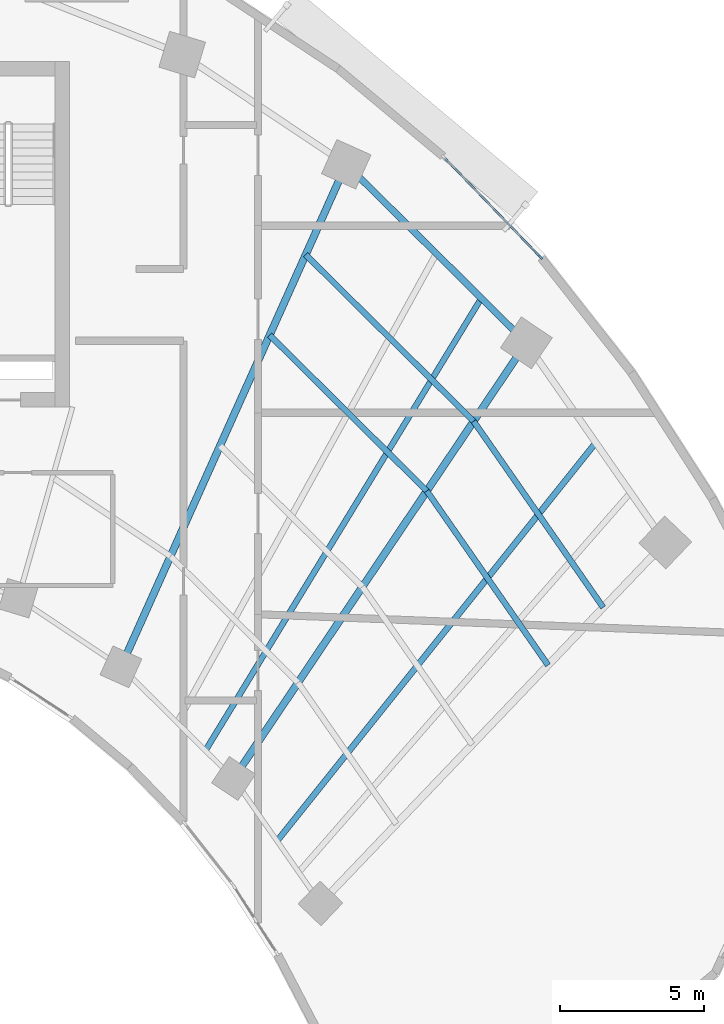
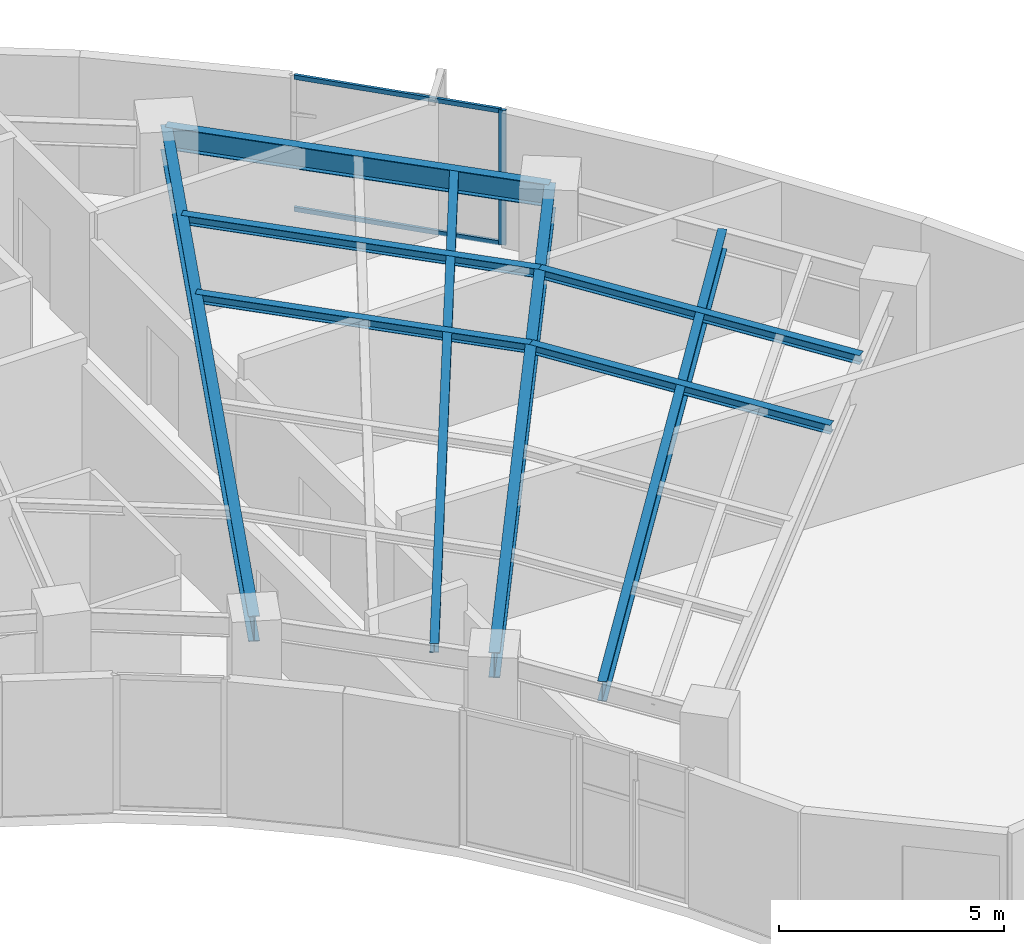
# One storey, part 4 of 14: 9 beams, 3 members, 1 element without a shape of its own.
"""IFC4 building model written with IfcOpenShell, lengths in metres."""

from ifc_helpers import new_model, si_unit, direction, frame, origin, origin_2d, place, context, subcontext, project, spatial, rectangle, i_section, extrude, source, transform, mapped, material, layer, layer_set, material_profile, profile_set, type_object, element, aggregate, save


model = new_model("IFC4")

# Units and contexts
model_context = context("Model", 3, precision=1e-05, world=origin(), true_north=direction((0.0, 1.0)))
body_context = subcontext(model_context, "Body", "Model", "MODEL_VIEW")
ifc_project = project(units=[si_unit("LENGTHUNIT", "METRE"), si_unit("AREAUNIT", "SQUARE_METRE"), si_unit("VOLUMEUNIT", "CUBIC_METRE"), si_unit("PLANEANGLEUNIT", "RADIAN"), si_unit("MASSUNIT", "GRAM", prefix="KILO")], contexts=[model_context])

# Site, building, storey
site_placement = place(None, origin())
site = spatial("IfcSite", under=ifc_project, at=site_placement, CompositionType="ELEMENT")
building_placement = place(site_placement, origin())
building = spatial("IfcBuilding", under=site, at=building_placement, Name="Breltana Convention Tower", CompositionType="ELEMENT")
storey_placement = place(building_placement, frame((0.0, 0.0, 119.39990234375)))
storey = spatial("IfcBuildingStorey", under=building, at=storey_placement, Name="L28", CompositionType="ELEMENT", Elevation=119.39990234375)

# Beams
ifc_material_1 = material(Name="Steel ASTM A992 Grade 50", Category="steel")
ifc_material_profile_1 = material_profile(ifc_material_1, i_section(OverallWidth=0.25390625, OverallDepth=0.68798828125, WebThickness=0.01318359375, FlangeThickness=0.02099609375, at=origin_2d()), Name="W27X102")
ifc_profile_set_1 = profile_set([ifc_material_profile_1], Name="Steel ASTM A992 Grade 50")
beam_type_1 = type_object("IfcBeamType", Name="BM-RG-W27X102", PredefinedType="USERDEFINED", material=ifc_profile_set_1)
shared_shape_1 = source(origin(), body_context, "Body", "SweptSolid", [
    extrude(i_section(OverallWidth=0.25390625, OverallDepth=0.68798828125, WebThickness=0.01318359375, FlangeThickness=0.02099609375, at=origin_2d()), origin(), (0.0, 0.0, 1.0), 19.133544921875),
])
beam_1_placement = place(storey_placement, frame((61.08203125, 51.174560546875, 3.30615234375), z_axis=(0.409144564164, 0.912469575172, 0.0), x_axis=(-0.912469575172, 0.409144564164, 0.0)))
element("IfcBeam", 1, at=beam_1_placement, inside=storey, type_object=beam_type_1, Name="L28 Radial Floor Girder R09", ObjectType="GIRDER", PredefinedType="USERDEFINED", context=body_context, shape_type="MappedRepresentation", body=[
    mapped(shared_shape_1, transform((0.0, 0.0, 0.0), scale=1.0)),
])
shared_shape_2 = source(origin(), body_context, "Body", "SweptSolid", [
    extrude(i_section(OverallWidth=0.25390625, OverallDepth=0.68798828125, WebThickness=0.01318359375, FlangeThickness=0.02099609375, at=origin_2d()), origin(), (0.0, 0.0, 1.0), 18.236328125),
])
beam_2_placement = place(storey_placement, frame((64.995849609375, 47.293701171875, 3.30615234375), z_axis=(0.557730360975, 0.830022195153, 0.0), x_axis=(-0.830022195153, 0.557730360975, 0.0)))
element("IfcBeam", 2, at=beam_2_placement, inside=storey, type_object=beam_type_1, Name="L28 Radial Floor Girder R10", ObjectType="GIRDER", PredefinedType="USERDEFINED", context=body_context, shape_type="MappedRepresentation", body=[
    mapped(shared_shape_2, transform((0.0, 0.0, 0.0), scale=1.0)),
])
ifc_material_profile_2 = material_profile(ifc_material_1, i_section(OverallWidth=0.22802734375, OverallDepth=0.60791015625, WebThickness=0.01123046875, FlangeThickness=0.017333984375, at=origin_2d()), Name="W24X76")
ifc_profile_set_2 = profile_set([ifc_material_profile_2], Name="Steel ASTM A992 Grade 50")
beam_type_2 = type_object("IfcBeamType", Name="BM-SP-W24X76", PredefinedType="SPANDREL", material=ifc_profile_set_2)
shared_shape_3 = source(origin(), body_context, "Body", "SweptSolid", [
    extrude(i_section(OverallWidth=0.22802734375, OverallDepth=0.60791015625, WebThickness=0.01123046875, FlangeThickness=0.017333984375, at=origin_2d()), origin(), (0.0, 0.0, 1.0), 8.810302734375),
])
beam_3_placement = place(storey_placement, frame((68.910400390625, 68.63330078125, 3.34619140625), z_axis=(0.710120823582, -0.704079836322, 0.0), x_axis=(0.704079836322, 0.710120823582, 0.0)))
element("IfcBeam", 3, at=beam_3_placement, inside=storey, type_object=beam_type_2, Name="L28 Outer Spandrel Beam 09", PredefinedType="SPANDREL", context=body_context, shape_type="MappedRepresentation", body=[
    mapped(shared_shape_3, transform((0.0, 0.0, 0.0), scale=1.0)),
])
ifc_material_profile_3 = material_profile(ifc_material_1, i_section(OverallWidth=0.201904296875, OverallDepth=0.2470703125, WebThickness=0.00732421875, FlangeThickness=0.010986328125, at=origin_2d()), Name="W10X33")
ifc_profile_set_3 = profile_set([ifc_material_profile_3], Name="Steel ASTM A992 Grade 50")
beam_type_3 = type_object("IfcBeamType", Name="BM-JSG-11", PredefinedType="JOIST", material=ifc_profile_set_3)
shared_shape_4 = source(origin(), body_context, "Body", "SweptSolid", [
    extrude(i_section(OverallWidth=0.201904296875, OverallDepth=0.2470703125, WebThickness=0.00732421875, FlangeThickness=0.010986328125, at=origin_2d()), origin(), (0.0, 0.0, 1.0), 7.688720703125),
])
beam_4_placement = place(storey_placement, frame((66.248779296875, 62.697265625, 3.526611328125), z_axis=(0.710101109809, -0.704099718682, 0.0), x_axis=(0.704099718682, 0.710101109809, 0.0)))
element("IfcBeam", 4, at=beam_4_placement, inside=storey, type_object=beam_type_3, Name="L28 Composite Floor Joist 09.3", PredefinedType="JOIST", context=body_context, shape_type="MappedRepresentation", body=[
    mapped(shared_shape_4, transform((0.0, 0.0, 0.0), scale=1.0)),
])
shared_shape_5 = source(origin(), body_context, "Body", "SweptSolid", [
    extrude(i_section(OverallWidth=0.201904296875, OverallDepth=0.2470703125, WebThickness=0.00732421875, FlangeThickness=0.010986328125, at=origin_2d()), origin(), (0.0, 0.0, 1.0), 8.21630859375),
])
beam_5_placement = place(storey_placement, frame((67.50146484375, 65.49072265625, 3.526611328125), z_axis=(0.710101511063, -0.704099314008, 0.0), x_axis=(0.704099314008, 0.710101511063, 0.0)))
element("IfcBeam", 5, at=beam_5_placement, inside=storey, type_object=beam_type_3, Name="L28 Composite Floor Joist 09.4", PredefinedType="JOIST", context=body_context, shape_type="MappedRepresentation", body=[
    mapped(shared_shape_5, transform((0.0, 0.0, 0.0), scale=1.0)),
])
shared_shape_6 = source(origin(), body_context, "Body", "SweptSolid", [
    extrude(i_section(OverallWidth=0.201904296875, OverallDepth=0.2470703125, WebThickness=0.00732421875, FlangeThickness=0.010986328125, at=origin_2d()), origin(), (0.0, 0.0, 1.0), 18.409423828125),
])
beam_6_placement = place(storey_placement, frame((64.017333984375, 48.263916015625, 3.526611328125), z_axis=(0.520682167606, 0.853750596098, 0.0), x_axis=(-0.853750596098, 0.520682167606, 0.0)))
element("IfcBeam", 6, at=beam_6_placement, inside=storey, type_object=beam_type_3, Name="L28 Quarter-Bay Radial Trimmer 09", PredefinedType="JOIST", context=body_context, shape_type="MappedRepresentation", body=[
    mapped(shared_shape_6, transform((0.0, 0.0, 0.0), scale=1.0)),
])
shared_shape_7 = source(origin(), body_context, "Body", "SweptSolid", [
    extrude(i_section(OverallWidth=0.201904296875, OverallDepth=0.2470703125, WebThickness=0.00732421875, FlangeThickness=0.010986328125, at=origin_2d()), origin(), (0.0, 0.0, 1.0), 7.374267578125),
])
beam_7_placement = place(storey_placement, frame((71.70849609375, 57.28369140625, 3.526611328125), z_axis=(0.571229379406, -0.820790470281, 0.0), x_axis=(0.820790470281, 0.571229379406, 0.0)))
element("IfcBeam", 7, at=beam_7_placement, inside=storey, type_object=beam_type_3, Name="L28 Composite Floor Joist 10.3", PredefinedType="JOIST", context=body_context, shape_type="MappedRepresentation", body=[
    mapped(shared_shape_7, transform((0.0, 0.0, 0.0), scale=1.0)),
])
shared_shape_8 = source(origin(), body_context, "Body", "SweptSolid", [
    extrude(i_section(OverallWidth=0.201904296875, OverallDepth=0.2470703125, WebThickness=0.00732421875, FlangeThickness=0.010986328125, at=origin_2d()), origin(), (0.0, 0.0, 1.0), 7.88037109375),
])
beam_8_placement = place(storey_placement, frame((73.3359375, 59.70556640625, 3.526611328125), z_axis=(0.571197916304, -0.820812366141, 0.0), x_axis=(0.820812366141, 0.571197916304, 0.0)))
element("IfcBeam", 8, at=beam_8_placement, inside=storey, type_object=beam_type_3, Name="L28 Composite Floor Joist 10.4", PredefinedType="JOIST", context=body_context, shape_type="MappedRepresentation", body=[
    mapped(shared_shape_8, transform((0.0, 0.0, 0.0), scale=1.0)),
])
ifc_material_profile_4 = material_profile(ifc_material_1, i_section(OverallWidth=0.2099609375, OverallDepth=0.537109375, WebThickness=0.010986328125, FlangeThickness=0.017333984375, at=origin_2d()), Name="W21X68")
ifc_profile_set_4 = profile_set([ifc_material_profile_4], Name="Steel ASTM A992 Grade 50")
beam_type_4 = type_object("IfcBeamType", Name="BM-JSG-04", PredefinedType="JOIST", material=ifc_profile_set_4)
shared_shape_9 = source(origin(), body_context, "Body", "SweptSolid", [
    extrude(i_section(OverallWidth=0.2099609375, OverallDepth=0.537109375, WebThickness=0.010986328125, FlangeThickness=0.017333984375, at=origin_2d()), origin(), (0.0, 0.0, 1.0), 17.7236328125),
])
beam_9_placement = place(storey_placement, frame((66.505615234375, 45.124267578125, 3.381591796875), z_axis=(0.624829427563, 0.78076128647, 0.0), x_axis=(-0.78076128647, 0.624829427563, 0.0)))
element("IfcBeam", 9, at=beam_9_placement, inside=storey, type_object=beam_type_4, Name="L28 Mid-Bay Radial Trimmer 10", PredefinedType="JOIST", context=body_context, shape_type="MappedRepresentation", body=[
    mapped(shared_shape_9, transform((0.0, 0.0, 0.0), scale=1.0)),
])

# Curtain wall, members
ifc_material_2 = material(Name="Aluminium Anodised Bronze Frame", Category="aluminium")
ifc_layer = layer(ifc_material_2, 0.22998046875, Name="Aluminium Anodised Bronze Frame")
ifc_layer_set = layer_set([ifc_layer], Name="Aluminium Anodised Bronze Frame")
curtain_wall_type = type_object("IfcCurtainWallType", Name="CW-SYS-5", PredefinedType="NOTDEFINED", material=ifc_layer_set)
curtain_wall_placement = place(storey_placement, origin())
curtain_wall = element("IfcCurtainWall", 10, at=curtain_wall_placement, inside=storey, type_object=curtain_wall_type, Name="L28 outer double-skin inner glazing 4", PredefinedType="NOTDEFINED")
ifc_material_3 = material(Name="Aluminium Anodised Bronze", Category="aluminium")
ifc_material_profile_5 = material_profile(ifc_material_3, rectangle(XDim=0.070068359375, YDim=0.1201171875, at=origin_2d()), Name="CWT-70X120")
ifc_profile_set_5 = profile_set([ifc_material_profile_5], Name="Aluminium Anodised Bronze")
member_type_1 = type_object("IfcMemberType", Name="CWT-120", PredefinedType="USERDEFINED", material=ifc_profile_set_5)
shared_shape_10 = source(origin(), body_context, "Body", "SweptSolid", [
    extrude(rectangle(XDim=0.070068359375, YDim=0.1201171875, at=origin_2d()), origin(), (0.0, 0.0, 1.0), 4.7685546875),
])
member_1_placement = place(storey_placement, frame((72.323974609375, 68.857177734375, 0.03515625), z_axis=(0.694608218982, -0.719388227679, 0.0), x_axis=(0.719388227679, 0.694608218982, 0.0)))
member_1 = element("IfcMember", 11, at=member_1_placement, type_object=member_type_1, Name="CW-05 transom 1.1", ObjectType="TRANSOM", PredefinedType="USERDEFINED", context=body_context, shape_type="MappedRepresentation", body=[
    mapped(shared_shape_10, transform((0.0, 0.0, 0.0), scale=1.0)),
])
member_2_placement = place(storey_placement, frame((72.323974609375, 68.857177734375, 3.614990234375), z_axis=(0.694608218982, -0.719388227679, 0.0), x_axis=(0.719388227679, 0.694608218982, 0.0)))
member_2 = element("IfcMember", 12, at=member_2_placement, type_object=member_type_1, Name="CW-05 transom 1.2", ObjectType="TRANSOM", PredefinedType="USERDEFINED", context=body_context, shape_type="MappedRepresentation", body=[
    mapped(shared_shape_10, transform((0.0, 0.0, 0.0), scale=1.0)),
])
ifc_material_profile_6 = material_profile(ifc_material_3, rectangle(XDim=0.070068359375, YDim=0.175048828125, at=origin_2d()), Name="CWM-70X175")
ifc_profile_set_6 = profile_set([ifc_material_profile_6], Name="Aluminium Anodised Bronze")
member_type_2 = type_object("IfcMemberType", Name="CWM-175", PredefinedType="MULLION", material=ifc_profile_set_6)
shared_shape_11 = source(origin(), body_context, "Body", "SweptSolid", [
    extrude(rectangle(XDim=0.070068359375, YDim=0.175048828125, at=origin_2d()), origin(), (0.0, 0.0, 1.0), 3.650146484375),
])
member_3_placement = place(storey_placement, frame((75.660400390625, 65.401611328125, 0.0), z_axis=(0.0, 0.0, 1.0), x_axis=(0.719384961558, 0.694611601605, 0.0)))
member_3 = element("IfcMember", 13, at=member_3_placement, type_object=member_type_2, Name="CW-05 mullion 2", PredefinedType="MULLION", context=body_context, shape_type="MappedRepresentation", body=[
    mapped(shared_shape_11, transform((0.0, 0.0, 0.0), scale=1.0)),
])
aggregate(curtain_wall, [member_3, member_1, member_2])

save(model, "model.ifc")
